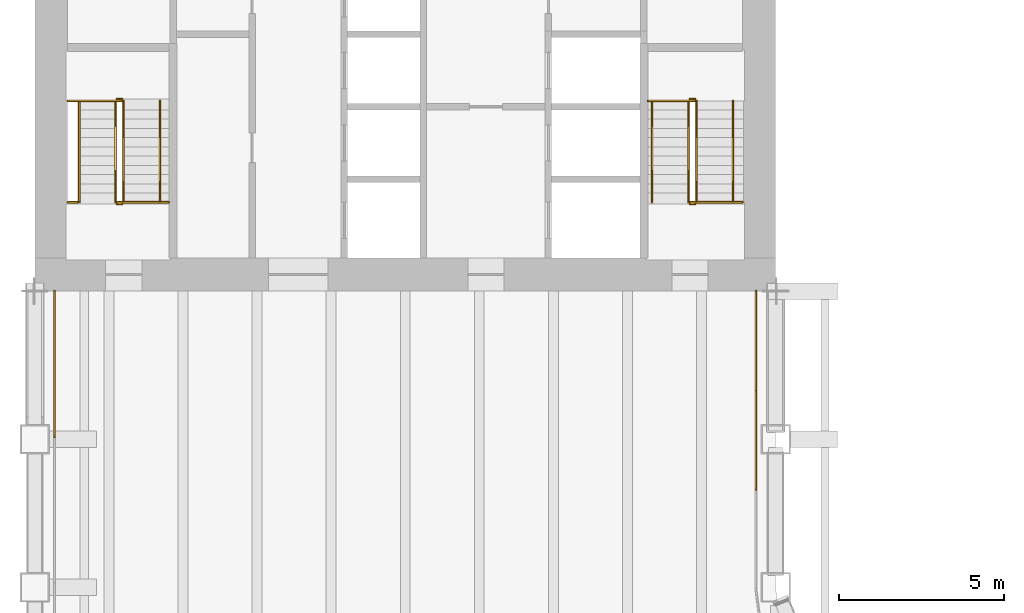
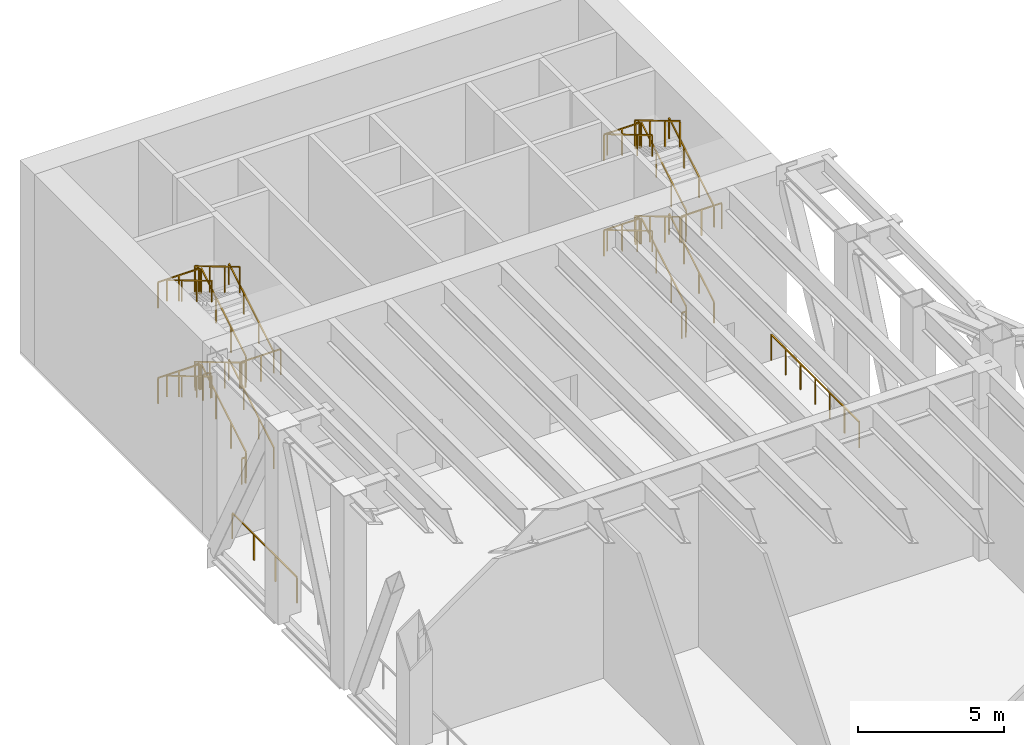
# One storey, part 16 of 16: 34 railings.
"""IFC4 building model written with IfcOpenShell, lengths in metres."""

from ifc_helpers import new_model, si_unit, direction, frame, origin, origin_2d, place, context, subcontext, project, spatial, rectangle, extrude, material, type_object, element, save


model = new_model("IFC4")

# Units and contexts
model_context = context("Model", 3, precision=1e-05, world=origin(), true_north=direction((0.0, 1.0)))
body_context = subcontext(model_context, "Body", "Model", "MODEL_VIEW")
ifc_project = project(units=[si_unit("LENGTHUNIT", "METRE"), si_unit("AREAUNIT", "SQUARE_METRE"), si_unit("VOLUMEUNIT", "CUBIC_METRE"), si_unit("PLANEANGLEUNIT", "RADIAN"), si_unit("MASSUNIT", "GRAM", prefix="KILO")], contexts=[model_context])

# Site, building, storey
site_placement = place(None, origin())
site = spatial("IfcSite", under=ifc_project, at=site_placement, CompositionType="ELEMENT")
building_placement = place(site_placement, origin())
building = spatial("IfcBuilding", under=site, at=building_placement, Name="Sennacour Bend Tower", CompositionType="ELEMENT")
storey_placement = place(building_placement, frame((0.0, 0.0, 187.0)))
storey = spatial("IfcBuildingStorey", under=building, at=storey_placement, Name="L43", CompositionType="ELEMENT", Elevation=187.0)

# Railings
ifc_material_1 = material(Name="Stainless steel 316", Category="steel")
railing_type_1 = type_object("IfcRailingType", Name="GUARD 1100", PredefinedType="GUARDRAIL", material=ifc_material_1)
railing_1_placement = place(storey_placement, frame((21.89990234375, 35.9990234375, 0.0)))
element("IfcRailing", 1, at=railing_1_placement, inside=storey, type_object=railing_type_1, Name="Guard L43", PredefinedType="GUARDRAIL", context=body_context, shape_type="SweptSolid", body=[
    extrude(rectangle(XDim=0.048095703125, YDim=0.048095703125, at=origin_2d()), frame((0.0, 0.0, 1.076171875), z_axis=(0.0, -1.0, 0.0), x_axis=(1.0, 0.0, 0.0)), (0.0, 0.0, 1.0), 3.012939453125),
    extrude(rectangle(XDim=0.0419921875, YDim=0.0419921875, at=origin_2d()), origin(), (0.0, 0.0, 1.0), 1.052001953125),
    extrude(rectangle(XDim=0.0419921875, YDim=0.0419921875, at=origin_2d()), frame((0.0, -1.00439453125, 0.0)), (0.0, 0.0, 1.0), 1.052001953125),
    extrude(rectangle(XDim=0.0419921875, YDim=0.0419921875, at=origin_2d()), frame((0.0, -2.008544921875, 0.0)), (0.0, 0.0, 1.0), 1.052001953125),
    extrude(rectangle(XDim=0.0419921875, YDim=0.0419921875, at=origin_2d()), frame((0.0, -3.012939453125, 0.0)), (0.0, 0.0, 1.0), 1.052001953125),
])
railing_2_placement = place(storey_placement, frame((21.89990234375, 32.986083984375, 0.0)))
element("IfcRailing", 2, at=railing_2_placement, inside=storey, type_object=railing_type_1, Name="Guard L43", PredefinedType="GUARDRAIL", context=body_context, shape_type="SweptSolid", body=[
    extrude(rectangle(XDim=0.048095703125, YDim=0.048095703125, at=origin_2d()), frame((0.0, 0.0, 1.076171875), z_axis=(0.0, -1.0, 0.0), x_axis=(1.0, 0.0, 0.0)), (0.0, 0.0, 1.0), 3.0126953125),
    extrude(rectangle(XDim=0.0419921875, YDim=0.0419921875, at=origin_2d()), origin(), (0.0, 0.0, 1.0), 1.052001953125),
    extrude(rectangle(XDim=0.0419921875, YDim=0.0419921875, at=origin_2d()), frame((0.0, -1.004150390625, 0.0)), (0.0, 0.0, 1.0), 1.052001953125),
    extrude(rectangle(XDim=0.0419921875, YDim=0.0419921875, at=origin_2d()), frame((0.0, -2.008544921875, 0.0)), (0.0, 0.0, 1.0), 1.052001953125),
    extrude(rectangle(XDim=0.0419921875, YDim=0.0419921875, at=origin_2d()), frame((0.0, -3.0126953125, 0.0)), (0.0, 0.0, 1.0), 1.052001953125),
])
railing_3_placement = place(storey_placement, frame((0.60009765625, 31.57421875, 0.0)))
element("IfcRailing", 3, at=railing_3_placement, inside=storey, type_object=railing_type_1, Name="Guard L43", PredefinedType="GUARDRAIL", context=body_context, shape_type="SweptSolid", body=[
    extrude(rectangle(XDim=0.048095703125, YDim=0.048095703125, at=origin_2d()), frame((0.0, 0.0, 1.076171875), z_axis=(0.0, 1.0, 0.0), x_axis=(-1.0, 0.0, 0.0)), (0.0, 0.0, 1.0), 4.4248046875),
    extrude(rectangle(XDim=0.0419921875, YDim=0.0419921875, at=origin_2d()), origin(), (0.0, 0.0, 1.0), 1.052001953125),
    extrude(rectangle(XDim=0.0419921875, YDim=0.0419921875, at=origin_2d()), frame((0.0, 1.474853515625, 0.0)), (0.0, 0.0, 1.0), 1.052001953125),
    extrude(rectangle(XDim=0.0419921875, YDim=0.0419921875, at=origin_2d()), frame((0.0, 2.949951171875, 0.0)), (0.0, 0.0, 1.0), 1.052001953125),
    extrude(rectangle(XDim=0.0419921875, YDim=0.0419921875, at=origin_2d()), frame((0.0, 4.4248046875, 0.0)), (0.0, 0.0, 1.0), 1.052001953125),
])
ifc_material_2 = material(Name="Stainless steel", Category="steel")
railing_type_2 = type_object("IfcRailingType", Name="RL-GUARD-1100", PredefinedType="GUARDRAIL", material=ifc_material_2)
railing_4_placement = place(storey_placement, frame((2.699951171875, 38.699951171875, 0.166748046875)))
element("IfcRailing", 4, at=railing_4_placement, inside=storey, type_object=railing_type_2, Name="L43 SB1 stair guard 1", PredefinedType="GUARDRAIL", context=body_context, shape_type="SweptSolid", body=[
    extrude(rectangle(XDim=0.048095703125, YDim=0.048095703125, at=origin_2d()), frame((0.0, 0.0, 1.076171875), z_axis=(0.0, 0.859308565015, 0.511457515432), x_axis=(-1.0, 0.0, 0.0)), (0.0, 0.0, 1.0), 3.58447265625),
    extrude(rectangle(XDim=0.0419921875, YDim=0.0419921875, at=origin_2d()), origin(), (0.0, 0.0, 1.0), 1.052001953125),
    extrude(rectangle(XDim=0.0419921875, YDim=0.0419921875, at=origin_2d()), frame((0.0, 1.026611328125, 0.611083984375)), (0.0, 0.0, 1.0), 1.052001953125),
    extrude(rectangle(XDim=0.0419921875, YDim=0.0419921875, at=origin_2d()), frame((0.0, 2.053466796875, 1.22216796875)), (0.0, 0.0, 1.0), 1.052001953125),
    extrude(rectangle(XDim=0.0419921875, YDim=0.0419921875, at=origin_2d()), frame((0.0, 3.080078125, 1.833251953125)), (0.0, 0.0, 1.0), 1.052001953125),
])
railing_5_placement = place(storey_placement, frame((2.64990234375, 41.830078125, 2.0)))
element("IfcRailing", 5, at=railing_5_placement, inside=storey, type_object=railing_type_2, Name="L43 SB1 stair guard 2", PredefinedType="GUARDRAIL", context=body_context, shape_type="SweptSolid", body=[
    extrude(rectangle(XDim=0.048095703125, YDim=0.048095703125, at=origin_2d()), frame((0.0, 0.0, 1.076171875), z_axis=(-1.0, 0.0, 0.0), x_axis=(0.0, -1.0, 0.0)), (0.0, 0.0, 1.0), 0.14990234375),
    extrude(rectangle(XDim=0.0419921875, YDim=0.0419921875, at=origin_2d()), origin(), (0.0, 0.0, 1.0), 1.052001953125),
    extrude(rectangle(XDim=0.0419921875, YDim=0.0419921875, at=origin_2d()), frame((-0.14990234375, 0.0, 0.0)), (0.0, 0.0, 1.0), 1.052001953125),
])
railing_6_placement = place(storey_placement, frame((2.449951171875, 41.780029296875, 2.166748046875)))
element("IfcRailing", 6, at=railing_6_placement, inside=storey, type_object=railing_type_2, Name="L43 SB1 stair guard 4", PredefinedType="GUARDRAIL", context=body_context, shape_type="SweptSolid", body=[
    extrude(rectangle(XDim=0.048095703125, YDim=0.048095703125, at=origin_2d()), frame((0.0, 0.0, 1.076171875), z_axis=(0.0, -0.859308565015, 0.511457515432), x_axis=(1.0, 0.0, 0.0)), (0.0, 0.0, 1.0), 3.58447265625),
    extrude(rectangle(XDim=0.0419921875, YDim=0.0419921875, at=origin_2d()), origin(), (0.0, 0.0, 1.0), 1.052001953125),
    extrude(rectangle(XDim=0.0419921875, YDim=0.0419921875, at=origin_2d()), frame((0.0, -1.026611328125, 0.611083984375)), (0.0, 0.0, 1.0), 1.052001953125),
    extrude(rectangle(XDim=0.0419921875, YDim=0.0419921875, at=origin_2d()), frame((0.0, -2.053466796875, 1.22216796875)), (0.0, 0.0, 1.0), 1.052001953125),
    extrude(rectangle(XDim=0.0419921875, YDim=0.0419921875, at=origin_2d()), frame((0.0, -3.080078125, 1.833251953125)), (0.0, 0.0, 1.0), 1.052001953125),
])
railing_7_placement = place(storey_placement, frame((2.64990234375, 38.64990234375, 4.0)))
element("IfcRailing", 7, at=railing_7_placement, inside=storey, type_object=railing_type_2, Name="L43 SB1 stair guard 5", PredefinedType="GUARDRAIL", context=body_context, shape_type="SweptSolid", body=[
    extrude(rectangle(XDim=0.048095703125, YDim=0.048095703125, at=origin_2d()), frame((0.0, 0.0, 1.076171875), z_axis=(-1.0, 0.0, 0.0), x_axis=(0.0, -1.0, 0.0)), (0.0, 0.0, 1.0), 0.14990234375),
    extrude(rectangle(XDim=0.0419921875, YDim=0.0419921875, at=origin_2d()), origin(), (0.0, 0.0, 1.0), 1.052001953125),
    extrude(rectangle(XDim=0.0419921875, YDim=0.0419921875, at=origin_2d()), frame((-0.14990234375, 0.0, 0.0)), (0.0, 0.0, 1.0), 1.052001953125),
])
railing_8_placement = place(storey_placement, frame((2.699951171875, 38.699951171875, 4.166748046875)))
element("IfcRailing", 8, at=railing_8_placement, inside=storey, type_object=railing_type_2, Name="L43 SB1 stair guard 8", PredefinedType="GUARDRAIL", context=body_context, shape_type="SweptSolid", body=[
    extrude(rectangle(XDim=0.048095703125, YDim=0.048095703125, at=origin_2d()), frame((0.0, 0.0, 1.076171875), z_axis=(0.0, 0.859308565015, 0.511457515432), x_axis=(-1.0, 0.0, 0.0)), (0.0, 0.0, 1.0), 3.58447265625),
    extrude(rectangle(XDim=0.0419921875, YDim=0.0419921875, at=origin_2d()), origin(), (0.0, 0.0, 1.0), 1.052001953125),
    extrude(rectangle(XDim=0.0419921875, YDim=0.0419921875, at=origin_2d()), frame((0.0, 1.026611328125, 0.611083984375)), (0.0, 0.0, 1.0), 1.052001953125),
    extrude(rectangle(XDim=0.0419921875, YDim=0.0419921875, at=origin_2d()), frame((0.0, 2.053466796875, 1.22216796875)), (0.0, 0.0, 1.0), 1.052001953125),
    extrude(rectangle(XDim=0.0419921875, YDim=0.0419921875, at=origin_2d()), frame((0.0, 3.080078125, 1.833251953125)), (0.0, 0.0, 1.0), 1.052001953125),
])
railing_9_placement = place(storey_placement, frame((2.64990234375, 41.830078125, 6.0)))
element("IfcRailing", 9, at=railing_9_placement, inside=storey, type_object=railing_type_2, Name="L43 SB1 stair guard 9", PredefinedType="GUARDRAIL", context=body_context, shape_type="SweptSolid", body=[
    extrude(rectangle(XDim=0.048095703125, YDim=0.048095703125, at=origin_2d()), frame((0.0, 0.0, 1.076171875), z_axis=(-1.0, 0.0, 0.0), x_axis=(0.0, -1.0, 0.0)), (0.0, 0.0, 1.0), 0.14990234375),
    extrude(rectangle(XDim=0.0419921875, YDim=0.0419921875, at=origin_2d()), origin(), (0.0, 0.0, 1.0), 1.052001953125),
    extrude(rectangle(XDim=0.0419921875, YDim=0.0419921875, at=origin_2d()), frame((-0.14990234375, 0.0, 0.0)), (0.0, 0.0, 1.0), 1.052001953125),
])
railing_10_placement = place(storey_placement, frame((2.449951171875, 41.780029296875, 6.166748046875)))
element("IfcRailing", 10, at=railing_10_placement, inside=storey, type_object=railing_type_2, Name="L43 SB1 stair guard 11", PredefinedType="GUARDRAIL", context=body_context, shape_type="SweptSolid", body=[
    extrude(rectangle(XDim=0.048095703125, YDim=0.048095703125, at=origin_2d()), frame((0.0, 0.0, 1.076171875), z_axis=(0.0, -0.859308565015, 0.511457515432), x_axis=(1.0, 0.0, 0.0)), (0.0, 0.0, 1.0), 3.58447265625),
    extrude(rectangle(XDim=0.0419921875, YDim=0.0419921875, at=origin_2d()), origin(), (0.0, 0.0, 1.0), 1.052001953125),
    extrude(rectangle(XDim=0.0419921875, YDim=0.0419921875, at=origin_2d()), frame((0.0, -1.026611328125, 0.611083984375)), (0.0, 0.0, 1.0), 1.052001953125),
    extrude(rectangle(XDim=0.0419921875, YDim=0.0419921875, at=origin_2d()), frame((0.0, -2.053466796875, 1.22216796875)), (0.0, 0.0, 1.0), 1.052001953125),
    extrude(rectangle(XDim=0.0419921875, YDim=0.0419921875, at=origin_2d()), frame((0.0, -3.080078125, 1.833251953125)), (0.0, 0.0, 1.0), 1.052001953125),
])
railing_11_placement = place(storey_placement, frame((2.64990234375, 38.64990234375, 0.0)))
element("IfcRailing", 11, at=railing_11_placement, inside=storey, type_object=railing_type_2, Name="L43 SB1 stair guard 12", PredefinedType="GUARDRAIL", context=body_context, shape_type="SweptSolid", body=[
    extrude(rectangle(XDim=0.048095703125, YDim=0.048095703125, at=origin_2d()), frame((0.0, 0.0, 1.076171875), z_axis=(-1.0, 0.0, 0.0), x_axis=(0.0, -1.0, 0.0)), (0.0, 0.0, 1.0), 0.14990234375),
    extrude(rectangle(XDim=0.0419921875, YDim=0.0419921875, at=origin_2d()), origin(), (0.0, 0.0, 1.0), 1.052001953125),
    extrude(rectangle(XDim=0.0419921875, YDim=0.0419921875, at=origin_2d()), frame((-0.14990234375, 0.0, 0.0)), (0.0, 0.0, 1.0), 1.052001953125),
])
railing_12_placement = place(storey_placement, frame((2.64990234375, 41.780029296875, 2.0)))
element("IfcRailing", 12, at=railing_12_placement, inside=storey, type_object=railing_type_2, Name="L43 SB1 landing edge guard 68", PredefinedType="GUARDRAIL", context=body_context, shape_type="SweptSolid", body=[
    extrude(rectangle(XDim=0.048095703125, YDim=0.048095703125, at=origin_2d()), frame((0.0, 0.0, 1.076171875), z_axis=(-1.0, 0.0, 0.0), x_axis=(0.0, -1.0, 0.0)), (0.0, 0.0, 1.0), 1.64990234375),
    extrude(rectangle(XDim=0.0419921875, YDim=0.0419921875, at=origin_2d()), origin(), (0.0, 0.0, 1.0), 1.052001953125),
    extrude(rectangle(XDim=0.0419921875, YDim=0.0419921875, at=origin_2d()), frame((-0.824951171875, 0.0, 0.0)), (0.0, 0.0, 1.0), 1.052001953125),
    extrude(rectangle(XDim=0.0419921875, YDim=0.0419921875, at=origin_2d()), frame((-1.64990234375, 0.0, 0.0)), (0.0, 0.0, 1.0), 1.052001953125),
])
railing_13_placement = place(storey_placement, frame((1.0, 38.699951171875, 4.0)))
element("IfcRailing", 13, at=railing_13_placement, inside=storey, type_object=railing_type_2, Name="L43 SB1 landing edge guard 69", PredefinedType="GUARDRAIL", context=body_context, shape_type="SweptSolid", body=[
    extrude(rectangle(XDim=0.048095703125, YDim=0.048095703125, at=origin_2d()), frame((0.0, 0.0, 1.076171875), z_axis=(1.0, 0.0, 0.0), x_axis=(0.0, 1.0, 0.0)), (0.0, 0.0, 1.0), 0.300048828125),
    extrude(rectangle(XDim=0.0419921875, YDim=0.0419921875, at=origin_2d()), origin(), (0.0, 0.0, 1.0), 1.052001953125),
    extrude(rectangle(XDim=0.0419921875, YDim=0.0419921875, at=origin_2d()), frame((0.300048828125, 0.0, 0.0)), (0.0, 0.0, 1.0), 1.052001953125),
])
railing_14_placement = place(storey_placement, frame((2.5, 38.699951171875, 4.0)))
element("IfcRailing", 14, at=railing_14_placement, inside=storey, type_object=railing_type_2, Name="L43 SB1 landing edge guard 70", PredefinedType="GUARDRAIL", context=body_context, shape_type="SweptSolid", body=[
    extrude(rectangle(XDim=0.048095703125, YDim=0.048095703125, at=origin_2d()), frame((0.0, 0.0, 1.076171875), z_axis=(1.0, 0.0, 0.0), x_axis=(0.0, 1.0, 0.0)), (0.0, 0.0, 1.0), 1.574951171875),
    extrude(rectangle(XDim=0.0419921875, YDim=0.0419921875, at=origin_2d()), origin(), (0.0, 0.0, 1.0), 1.052001953125),
    extrude(rectangle(XDim=0.0419921875, YDim=0.0419921875, at=origin_2d()), frame((0.78759765625, 0.0, 0.0)), (0.0, 0.0, 1.0), 1.052001953125),
    extrude(rectangle(XDim=0.0419921875, YDim=0.0419921875, at=origin_2d()), frame((1.574951171875, 0.0, 0.0)), (0.0, 0.0, 1.0), 1.052001953125),
])
railing_15_placement = place(storey_placement, frame((2.64990234375, 41.780029296875, 6.0)))
element("IfcRailing", 15, at=railing_15_placement, inside=storey, type_object=railing_type_2, Name="L43 SB1 landing edge guard 71", PredefinedType="GUARDRAIL", context=body_context, shape_type="SweptSolid", body=[
    extrude(rectangle(XDim=0.048095703125, YDim=0.048095703125, at=origin_2d()), frame((0.0, 0.0, 1.076171875), z_axis=(-1.0, 0.0, 0.0), x_axis=(0.0, -1.0, 0.0)), (0.0, 0.0, 1.0), 1.64990234375),
    extrude(rectangle(XDim=0.0419921875, YDim=0.0419921875, at=origin_2d()), origin(), (0.0, 0.0, 1.0), 1.052001953125),
    extrude(rectangle(XDim=0.0419921875, YDim=0.0419921875, at=origin_2d()), frame((-0.824951171875, 0.0, 0.0)), (0.0, 0.0, 1.0), 1.052001953125),
    extrude(rectangle(XDim=0.0419921875, YDim=0.0419921875, at=origin_2d()), frame((-1.64990234375, 0.0, 0.0)), (0.0, 0.0, 1.0), 1.052001953125),
])
railing_16_placement = place(storey_placement, frame((20.10009765625, 38.699951171875, 0.166748046875)))
element("IfcRailing", 16, at=railing_16_placement, inside=storey, type_object=railing_type_2, Name="L43 SB2 stair guard 1", PredefinedType="GUARDRAIL", context=body_context, shape_type="SweptSolid", body=[
    extrude(rectangle(XDim=0.048095703125, YDim=0.048095703125, at=origin_2d()), frame((0.0, 0.0, 1.076171875), z_axis=(0.0, 0.859308565015, 0.511457515432), x_axis=(-1.0, 0.0, 0.0)), (0.0, 0.0, 1.0), 3.58447265625),
    extrude(rectangle(XDim=0.0419921875, YDim=0.0419921875, at=origin_2d()), origin(), (0.0, 0.0, 1.0), 1.052001953125),
    extrude(rectangle(XDim=0.0419921875, YDim=0.0419921875, at=origin_2d()), frame((0.0, 1.026611328125, 0.611083984375)), (0.0, 0.0, 1.0), 1.052001953125),
    extrude(rectangle(XDim=0.0419921875, YDim=0.0419921875, at=origin_2d()), frame((0.0, 2.053466796875, 1.22216796875)), (0.0, 0.0, 1.0), 1.052001953125),
    extrude(rectangle(XDim=0.0419921875, YDim=0.0419921875, at=origin_2d()), frame((0.0, 3.080078125, 1.833251953125)), (0.0, 0.0, 1.0), 1.052001953125),
])
railing_17_placement = place(storey_placement, frame((20.050048828125, 41.830078125, 2.0)))
element("IfcRailing", 17, at=railing_17_placement, inside=storey, type_object=railing_type_2, Name="L43 SB2 stair guard 2", PredefinedType="GUARDRAIL", context=body_context, shape_type="SweptSolid", body=[
    extrude(rectangle(XDim=0.048095703125, YDim=0.048095703125, at=origin_2d()), frame((0.0, 0.0, 1.076171875), z_axis=(-1.0, 0.0, 0.0), x_axis=(0.0, -1.0, 0.0)), (0.0, 0.0, 1.0), 0.150146484375),
    extrude(rectangle(XDim=0.0419921875, YDim=0.0419921875, at=origin_2d()), origin(), (0.0, 0.0, 1.0), 1.052001953125),
    extrude(rectangle(XDim=0.0419921875, YDim=0.0419921875, at=origin_2d()), frame((-0.150146484375, 0.0, 0.0)), (0.0, 0.0, 1.0), 1.052001953125),
])
railing_18_placement = place(storey_placement, frame((19.85009765625, 41.780029296875, 2.166748046875)))
element("IfcRailing", 18, at=railing_18_placement, inside=storey, type_object=railing_type_2, Name="L43 SB2 stair guard 4", PredefinedType="GUARDRAIL", context=body_context, shape_type="SweptSolid", body=[
    extrude(rectangle(XDim=0.048095703125, YDim=0.048095703125, at=origin_2d()), frame((0.0, 0.0, 1.076171875), z_axis=(0.0, -0.859308565015, 0.511457515432), x_axis=(1.0, 0.0, 0.0)), (0.0, 0.0, 1.0), 3.58447265625),
    extrude(rectangle(XDim=0.0419921875, YDim=0.0419921875, at=origin_2d()), origin(), (0.0, 0.0, 1.0), 1.052001953125),
    extrude(rectangle(XDim=0.0419921875, YDim=0.0419921875, at=origin_2d()), frame((0.0, -1.026611328125, 0.611083984375)), (0.0, 0.0, 1.0), 1.052001953125),
    extrude(rectangle(XDim=0.0419921875, YDim=0.0419921875, at=origin_2d()), frame((0.0, -2.053466796875, 1.22216796875)), (0.0, 0.0, 1.0), 1.052001953125),
    extrude(rectangle(XDim=0.0419921875, YDim=0.0419921875, at=origin_2d()), frame((0.0, -3.080078125, 1.833251953125)), (0.0, 0.0, 1.0), 1.052001953125),
])
railing_19_placement = place(storey_placement, frame((20.050048828125, 38.64990234375, 4.0)))
element("IfcRailing", 19, at=railing_19_placement, inside=storey, type_object=railing_type_2, Name="L43 SB2 stair guard 5", PredefinedType="GUARDRAIL", context=body_context, shape_type="SweptSolid", body=[
    extrude(rectangle(XDim=0.048095703125, YDim=0.048095703125, at=origin_2d()), frame((0.0, 0.0, 1.076171875), z_axis=(-1.0, 0.0, 0.0), x_axis=(0.0, -1.0, 0.0)), (0.0, 0.0, 1.0), 0.150146484375),
    extrude(rectangle(XDim=0.0419921875, YDim=0.0419921875, at=origin_2d()), origin(), (0.0, 0.0, 1.0), 1.052001953125),
    extrude(rectangle(XDim=0.0419921875, YDim=0.0419921875, at=origin_2d()), frame((-0.150146484375, 0.0, 0.0)), (0.0, 0.0, 1.0), 1.052001953125),
])
railing_20_placement = place(storey_placement, frame((20.10009765625, 38.699951171875, 4.166748046875)))
element("IfcRailing", 20, at=railing_20_placement, inside=storey, type_object=railing_type_2, Name="L43 SB2 stair guard 8", PredefinedType="GUARDRAIL", context=body_context, shape_type="SweptSolid", body=[
    extrude(rectangle(XDim=0.048095703125, YDim=0.048095703125, at=origin_2d()), frame((0.0, 0.0, 1.076171875), z_axis=(0.0, 0.859308565015, 0.511457515432), x_axis=(-1.0, 0.0, 0.0)), (0.0, 0.0, 1.0), 3.58447265625),
    extrude(rectangle(XDim=0.0419921875, YDim=0.0419921875, at=origin_2d()), origin(), (0.0, 0.0, 1.0), 1.052001953125),
    extrude(rectangle(XDim=0.0419921875, YDim=0.0419921875, at=origin_2d()), frame((0.0, 1.026611328125, 0.611083984375)), (0.0, 0.0, 1.0), 1.052001953125),
    extrude(rectangle(XDim=0.0419921875, YDim=0.0419921875, at=origin_2d()), frame((0.0, 2.053466796875, 1.22216796875)), (0.0, 0.0, 1.0), 1.052001953125),
    extrude(rectangle(XDim=0.0419921875, YDim=0.0419921875, at=origin_2d()), frame((0.0, 3.080078125, 1.833251953125)), (0.0, 0.0, 1.0), 1.052001953125),
])
railing_21_placement = place(storey_placement, frame((20.050048828125, 41.830078125, 6.0)))
element("IfcRailing", 21, at=railing_21_placement, inside=storey, type_object=railing_type_2, Name="L43 SB2 stair guard 9", PredefinedType="GUARDRAIL", context=body_context, shape_type="SweptSolid", body=[
    extrude(rectangle(XDim=0.048095703125, YDim=0.048095703125, at=origin_2d()), frame((0.0, 0.0, 1.076171875), z_axis=(-1.0, 0.0, 0.0), x_axis=(0.0, -1.0, 0.0)), (0.0, 0.0, 1.0), 0.150146484375),
    extrude(rectangle(XDim=0.0419921875, YDim=0.0419921875, at=origin_2d()), origin(), (0.0, 0.0, 1.0), 1.052001953125),
    extrude(rectangle(XDim=0.0419921875, YDim=0.0419921875, at=origin_2d()), frame((-0.150146484375, 0.0, 0.0)), (0.0, 0.0, 1.0), 1.052001953125),
])
railing_22_placement = place(storey_placement, frame((19.85009765625, 41.780029296875, 6.166748046875)))
element("IfcRailing", 22, at=railing_22_placement, inside=storey, type_object=railing_type_2, Name="L43 SB2 stair guard 11", PredefinedType="GUARDRAIL", context=body_context, shape_type="SweptSolid", body=[
    extrude(rectangle(XDim=0.048095703125, YDim=0.048095703125, at=origin_2d()), frame((0.0, 0.0, 1.076171875), z_axis=(0.0, -0.859308565015, 0.511457515432), x_axis=(1.0, 0.0, 0.0)), (0.0, 0.0, 1.0), 3.58447265625),
    extrude(rectangle(XDim=0.0419921875, YDim=0.0419921875, at=origin_2d()), origin(), (0.0, 0.0, 1.0), 1.052001953125),
    extrude(rectangle(XDim=0.0419921875, YDim=0.0419921875, at=origin_2d()), frame((0.0, -1.026611328125, 0.611083984375)), (0.0, 0.0, 1.0), 1.052001953125),
    extrude(rectangle(XDim=0.0419921875, YDim=0.0419921875, at=origin_2d()), frame((0.0, -2.053466796875, 1.22216796875)), (0.0, 0.0, 1.0), 1.052001953125),
    extrude(rectangle(XDim=0.0419921875, YDim=0.0419921875, at=origin_2d()), frame((0.0, -3.080078125, 1.833251953125)), (0.0, 0.0, 1.0), 1.052001953125),
])
railing_23_placement = place(storey_placement, frame((20.050048828125, 38.64990234375, 0.0)))
element("IfcRailing", 23, at=railing_23_placement, inside=storey, type_object=railing_type_2, Name="L43 SB2 stair guard 12", PredefinedType="GUARDRAIL", context=body_context, shape_type="SweptSolid", body=[
    extrude(rectangle(XDim=0.048095703125, YDim=0.048095703125, at=origin_2d()), frame((0.0, 0.0, 1.076171875), z_axis=(-1.0, 0.0, 0.0), x_axis=(0.0, -1.0, 0.0)), (0.0, 0.0, 1.0), 0.150146484375),
    extrude(rectangle(XDim=0.0419921875, YDim=0.0419921875, at=origin_2d()), origin(), (0.0, 0.0, 1.0), 1.052001953125),
    extrude(rectangle(XDim=0.0419921875, YDim=0.0419921875, at=origin_2d()), frame((-0.150146484375, 0.0, 0.0)), (0.0, 0.0, 1.0), 1.052001953125),
])
railing_24_placement = place(storey_placement, frame((20.050048828125, 41.780029296875, 2.0)))
element("IfcRailing", 24, at=railing_24_placement, inside=storey, type_object=railing_type_2, Name="L43 SB2 landing edge guard 58", PredefinedType="GUARDRAIL", context=body_context, shape_type="SweptSolid", body=[
    extrude(rectangle(XDim=0.048095703125, YDim=0.048095703125, at=origin_2d()), frame((0.0, 0.0, 1.076171875), z_axis=(-1.0, 0.0, 0.0), x_axis=(0.0, -1.0, 0.0)), (0.0, 0.0, 1.0), 1.425048828125),
    extrude(rectangle(XDim=0.0419921875, YDim=0.0419921875, at=origin_2d()), origin(), (0.0, 0.0, 1.0), 1.052001953125),
    extrude(rectangle(XDim=0.0419921875, YDim=0.0419921875, at=origin_2d()), frame((-0.71240234375, 0.0, 0.0)), (0.0, 0.0, 1.0), 1.052001953125),
    extrude(rectangle(XDim=0.0419921875, YDim=0.0419921875, at=origin_2d()), frame((-1.425048828125, 0.0, 0.0)), (0.0, 0.0, 1.0), 1.052001953125),
])
railing_25_placement = place(storey_placement, frame((19.89990234375, 38.699951171875, 4.0)))
element("IfcRailing", 25, at=railing_25_placement, inside=storey, type_object=railing_type_2, Name="L43 SB2 landing edge guard 59", PredefinedType="GUARDRAIL", context=body_context, shape_type="SweptSolid", body=[
    extrude(rectangle(XDim=0.048095703125, YDim=0.048095703125, at=origin_2d()), frame((0.0, 0.0, 1.076171875), z_axis=(1.0, 0.0, 0.0), x_axis=(0.0, 1.0, 0.0)), (0.0, 0.0, 1.0), 1.60009765625),
    extrude(rectangle(XDim=0.0419921875, YDim=0.0419921875, at=origin_2d()), origin(), (0.0, 0.0, 1.0), 1.052001953125),
    extrude(rectangle(XDim=0.0419921875, YDim=0.0419921875, at=origin_2d()), frame((0.800048828125, 0.0, 0.0)), (0.0, 0.0, 1.0), 1.052001953125),
    extrude(rectangle(XDim=0.0419921875, YDim=0.0419921875, at=origin_2d()), frame((1.60009765625, 0.0, 0.0)), (0.0, 0.0, 1.0), 1.052001953125),
])
railing_26_placement = place(storey_placement, frame((20.050048828125, 41.780029296875, 6.0)))
element("IfcRailing", 26, at=railing_26_placement, inside=storey, type_object=railing_type_2, Name="L43 SB2 landing edge guard 60", PredefinedType="GUARDRAIL", context=body_context, shape_type="SweptSolid", body=[
    extrude(rectangle(XDim=0.048095703125, YDim=0.048095703125, at=origin_2d()), frame((0.0, 0.0, 1.076171875), z_axis=(-1.0, 0.0, 0.0), x_axis=(0.0, -1.0, 0.0)), (0.0, 0.0, 1.0), 1.425048828125),
    extrude(rectangle(XDim=0.0419921875, YDim=0.0419921875, at=origin_2d()), origin(), (0.0, 0.0, 1.0), 1.052001953125),
    extrude(rectangle(XDim=0.0419921875, YDim=0.0419921875, at=origin_2d()), frame((-0.71240234375, 0.0, 0.0)), (0.0, 0.0, 1.0), 1.052001953125),
    extrude(rectangle(XDim=0.0419921875, YDim=0.0419921875, at=origin_2d()), frame((-1.425048828125, 0.0, 0.0)), (0.0, 0.0, 1.0), 1.052001953125),
])
railing_type_3 = type_object("IfcRailingType", Name="RL-HANDRAIL-900", PredefinedType="HANDRAIL", material=ifc_material_2)
railing_27_placement = place(storey_placement, frame((3.800048828125, 38.699951171875, 0.166748046875)))
element("IfcRailing", 27, at=railing_27_placement, inside=storey, type_object=railing_type_3, Name="L43 SB1 stair handrail 1", PredefinedType="HANDRAIL", context=body_context, shape_type="SweptSolid", body=[
    extrude(rectangle(XDim=0.048095703125, YDim=0.048095703125, at=origin_2d()), frame((0.0, 0.0, 0.8759765625), z_axis=(0.0, 0.859308565015, 0.511457515432), x_axis=(-1.0, 0.0, 0.0)), (0.0, 0.0, 1.0), 3.58447265625),
    extrude(rectangle(XDim=0.0419921875, YDim=0.0419921875, at=origin_2d()), origin(), (0.0, 0.0, 1.0), 0.851806640625),
    extrude(rectangle(XDim=0.0419921875, YDim=0.0419921875, at=origin_2d()), frame((0.0, 1.026611328125, 0.611083984375)), (0.0, 0.0, 1.0), 0.851806640625),
    extrude(rectangle(XDim=0.0419921875, YDim=0.0419921875, at=origin_2d()), frame((0.0, 2.053466796875, 1.22216796875)), (0.0, 0.0, 1.0), 0.851806640625),
    extrude(rectangle(XDim=0.0419921875, YDim=0.0419921875, at=origin_2d()), frame((0.0, 3.080078125, 1.833251953125)), (0.0, 0.0, 1.0), 0.851806640625),
])
railing_28_placement = place(storey_placement, frame((1.35009765625, 41.780029296875, 2.166748046875)))
element("IfcRailing", 28, at=railing_28_placement, inside=storey, type_object=railing_type_3, Name="L43 SB1 stair handrail 2", PredefinedType="HANDRAIL", context=body_context, shape_type="SweptSolid", body=[
    extrude(rectangle(XDim=0.048095703125, YDim=0.048095703125, at=origin_2d()), frame((0.0, 0.0, 0.8759765625), z_axis=(0.0, -0.859308565015, 0.511457515432), x_axis=(1.0, 0.0, 0.0)), (0.0, 0.0, 1.0), 3.58447265625),
    extrude(rectangle(XDim=0.0419921875, YDim=0.0419921875, at=origin_2d()), origin(), (0.0, 0.0, 1.0), 0.851806640625),
    extrude(rectangle(XDim=0.0419921875, YDim=0.0419921875, at=origin_2d()), frame((0.0, -1.026611328125, 0.611083984375)), (0.0, 0.0, 1.0), 0.851806640625),
    extrude(rectangle(XDim=0.0419921875, YDim=0.0419921875, at=origin_2d()), frame((0.0, -2.053466796875, 1.22216796875)), (0.0, 0.0, 1.0), 0.851806640625),
    extrude(rectangle(XDim=0.0419921875, YDim=0.0419921875, at=origin_2d()), frame((0.0, -3.080078125, 1.833251953125)), (0.0, 0.0, 1.0), 0.851806640625),
])
railing_29_placement = place(storey_placement, frame((3.800048828125, 38.699951171875, 4.166748046875)))
element("IfcRailing", 29, at=railing_29_placement, inside=storey, type_object=railing_type_3, Name="L43 SB1 stair handrail 3", PredefinedType="HANDRAIL", context=body_context, shape_type="SweptSolid", body=[
    extrude(rectangle(XDim=0.048095703125, YDim=0.048095703125, at=origin_2d()), frame((0.0, 0.0, 0.8759765625), z_axis=(0.0, 0.859308565015, 0.511457515432), x_axis=(-1.0, 0.0, 0.0)), (0.0, 0.0, 1.0), 3.58447265625),
    extrude(rectangle(XDim=0.0419921875, YDim=0.0419921875, at=origin_2d()), origin(), (0.0, 0.0, 1.0), 0.851806640625),
    extrude(rectangle(XDim=0.0419921875, YDim=0.0419921875, at=origin_2d()), frame((0.0, 1.026611328125, 0.611083984375)), (0.0, 0.0, 1.0), 0.851806640625),
    extrude(rectangle(XDim=0.0419921875, YDim=0.0419921875, at=origin_2d()), frame((0.0, 2.053466796875, 1.22216796875)), (0.0, 0.0, 1.0), 0.851806640625),
    extrude(rectangle(XDim=0.0419921875, YDim=0.0419921875, at=origin_2d()), frame((0.0, 3.080078125, 1.833251953125)), (0.0, 0.0, 1.0), 0.851806640625),
])
railing_30_placement = place(storey_placement, frame((1.35009765625, 41.780029296875, 6.166748046875)))
element("IfcRailing", 30, at=railing_30_placement, inside=storey, type_object=railing_type_3, Name="L43 SB1 stair handrail 4", PredefinedType="HANDRAIL", context=body_context, shape_type="SweptSolid", body=[
    extrude(rectangle(XDim=0.048095703125, YDim=0.048095703125, at=origin_2d()), frame((0.0, 0.0, 0.8759765625), z_axis=(0.0, -0.859308565015, 0.511457515432), x_axis=(1.0, 0.0, 0.0)), (0.0, 0.0, 1.0), 3.58447265625),
    extrude(rectangle(XDim=0.0419921875, YDim=0.0419921875, at=origin_2d()), origin(), (0.0, 0.0, 1.0), 0.851806640625),
    extrude(rectangle(XDim=0.0419921875, YDim=0.0419921875, at=origin_2d()), frame((0.0, -1.026611328125, 0.611083984375)), (0.0, 0.0, 1.0), 0.851806640625),
    extrude(rectangle(XDim=0.0419921875, YDim=0.0419921875, at=origin_2d()), frame((0.0, -2.053466796875, 1.22216796875)), (0.0, 0.0, 1.0), 0.851806640625),
    extrude(rectangle(XDim=0.0419921875, YDim=0.0419921875, at=origin_2d()), frame((0.0, -3.080078125, 1.833251953125)), (0.0, 0.0, 1.0), 0.851806640625),
])
railing_31_placement = place(storey_placement, frame((21.199951171875, 38.699951171875, 0.166748046875)))
element("IfcRailing", 31, at=railing_31_placement, inside=storey, type_object=railing_type_3, Name="L43 SB2 stair handrail 1", PredefinedType="HANDRAIL", context=body_context, shape_type="SweptSolid", body=[
    extrude(rectangle(XDim=0.048095703125, YDim=0.048095703125, at=origin_2d()), frame((0.0, 0.0, 0.8759765625), z_axis=(0.0, 0.859308565015, 0.511457515432), x_axis=(-1.0, 0.0, 0.0)), (0.0, 0.0, 1.0), 3.58447265625),
    extrude(rectangle(XDim=0.0419921875, YDim=0.0419921875, at=origin_2d()), origin(), (0.0, 0.0, 1.0), 0.851806640625),
    extrude(rectangle(XDim=0.0419921875, YDim=0.0419921875, at=origin_2d()), frame((0.0, 1.026611328125, 0.611083984375)), (0.0, 0.0, 1.0), 0.851806640625),
    extrude(rectangle(XDim=0.0419921875, YDim=0.0419921875, at=origin_2d()), frame((0.0, 2.053466796875, 1.22216796875)), (0.0, 0.0, 1.0), 0.851806640625),
    extrude(rectangle(XDim=0.0419921875, YDim=0.0419921875, at=origin_2d()), frame((0.0, 3.080078125, 1.833251953125)), (0.0, 0.0, 1.0), 0.851806640625),
])
railing_32_placement = place(storey_placement, frame((18.75, 41.780029296875, 2.166748046875)))
element("IfcRailing", 32, at=railing_32_placement, inside=storey, type_object=railing_type_3, Name="L43 SB2 stair handrail 2", PredefinedType="HANDRAIL", context=body_context, shape_type="SweptSolid", body=[
    extrude(rectangle(XDim=0.048095703125, YDim=0.048095703125, at=origin_2d()), frame((0.0, 0.0, 0.8759765625), z_axis=(0.0, -0.859308565015, 0.511457515432), x_axis=(1.0, 0.0, 0.0)), (0.0, 0.0, 1.0), 3.58447265625),
    extrude(rectangle(XDim=0.0419921875, YDim=0.0419921875, at=origin_2d()), origin(), (0.0, 0.0, 1.0), 0.851806640625),
    extrude(rectangle(XDim=0.0419921875, YDim=0.0419921875, at=origin_2d()), frame((0.0, -1.026611328125, 0.611083984375)), (0.0, 0.0, 1.0), 0.851806640625),
    extrude(rectangle(XDim=0.0419921875, YDim=0.0419921875, at=origin_2d()), frame((0.0, -2.053466796875, 1.22216796875)), (0.0, 0.0, 1.0), 0.851806640625),
    extrude(rectangle(XDim=0.0419921875, YDim=0.0419921875, at=origin_2d()), frame((0.0, -3.080078125, 1.833251953125)), (0.0, 0.0, 1.0), 0.851806640625),
])
railing_33_placement = place(storey_placement, frame((21.199951171875, 38.699951171875, 4.166748046875)))
element("IfcRailing", 33, at=railing_33_placement, inside=storey, type_object=railing_type_3, Name="L43 SB2 stair handrail 3", PredefinedType="HANDRAIL", context=body_context, shape_type="SweptSolid", body=[
    extrude(rectangle(XDim=0.048095703125, YDim=0.048095703125, at=origin_2d()), frame((0.0, 0.0, 0.8759765625), z_axis=(0.0, 0.859308565015, 0.511457515432), x_axis=(-1.0, 0.0, 0.0)), (0.0, 0.0, 1.0), 3.58447265625),
    extrude(rectangle(XDim=0.0419921875, YDim=0.0419921875, at=origin_2d()), origin(), (0.0, 0.0, 1.0), 0.851806640625),
    extrude(rectangle(XDim=0.0419921875, YDim=0.0419921875, at=origin_2d()), frame((0.0, 1.026611328125, 0.611083984375)), (0.0, 0.0, 1.0), 0.851806640625),
    extrude(rectangle(XDim=0.0419921875, YDim=0.0419921875, at=origin_2d()), frame((0.0, 2.053466796875, 1.22216796875)), (0.0, 0.0, 1.0), 0.851806640625),
    extrude(rectangle(XDim=0.0419921875, YDim=0.0419921875, at=origin_2d()), frame((0.0, 3.080078125, 1.833251953125)), (0.0, 0.0, 1.0), 0.851806640625),
])
railing_34_placement = place(storey_placement, frame((18.75, 41.780029296875, 6.166748046875)))
element("IfcRailing", 34, at=railing_34_placement, inside=storey, type_object=railing_type_3, Name="L43 SB2 stair handrail 4", PredefinedType="HANDRAIL", context=body_context, shape_type="SweptSolid", body=[
    extrude(rectangle(XDim=0.048095703125, YDim=0.048095703125, at=origin_2d()), frame((0.0, 0.0, 0.8759765625), z_axis=(0.0, -0.859308565015, 0.511457515432), x_axis=(1.0, 0.0, 0.0)), (0.0, 0.0, 1.0), 3.58447265625),
    extrude(rectangle(XDim=0.0419921875, YDim=0.0419921875, at=origin_2d()), origin(), (0.0, 0.0, 1.0), 0.851806640625),
    extrude(rectangle(XDim=0.0419921875, YDim=0.0419921875, at=origin_2d()), frame((0.0, -1.026611328125, 0.611083984375)), (0.0, 0.0, 1.0), 0.851806640625),
    extrude(rectangle(XDim=0.0419921875, YDim=0.0419921875, at=origin_2d()), frame((0.0, -2.053466796875, 1.22216796875)), (0.0, 0.0, 1.0), 0.851806640625),
    extrude(rectangle(XDim=0.0419921875, YDim=0.0419921875, at=origin_2d()), frame((0.0, -3.080078125, 1.833251953125)), (0.0, 0.0, 1.0), 0.851806640625),
])

save(model, "model.ifc")
